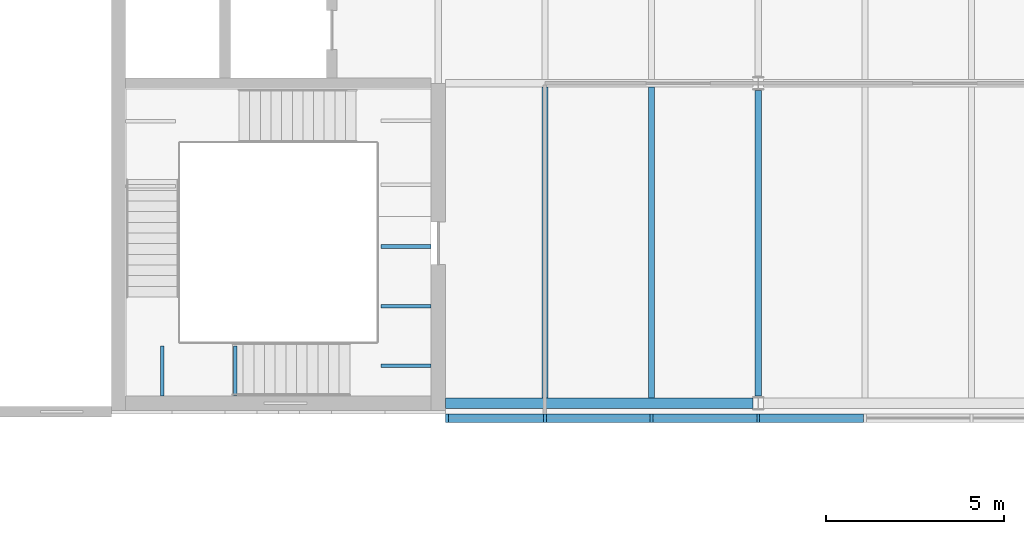
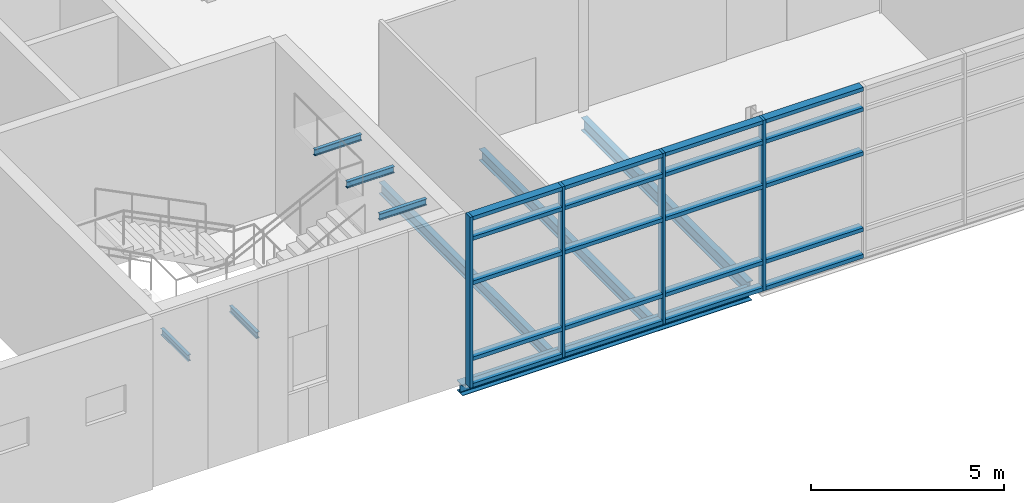
# One storey, part 20 of 53: 24 members, 9 beams, 1 element without a shape of its own.
"""IFC4 building model written with IfcOpenShell, lengths in metres."""

from ifc_helpers import new_model, si_unit, direction, frame, origin, origin_2d, place, context, subcontext, project, spatial, rectangle, i_section, extrude, material, material_profile, profile_set, type_object, element, aggregate, save


model = new_model("IFC4")

# Units and contexts
model_context = context("Model", 3, precision=1e-05, world=origin(), true_north=direction((0.0, 1.0)))
body_context = subcontext(model_context, "Body", "Model", "MODEL_VIEW")
ifc_project = project(units=[si_unit("LENGTHUNIT", "METRE"), si_unit("AREAUNIT", "SQUARE_METRE"), si_unit("VOLUMEUNIT", "CUBIC_METRE"), si_unit("PLANEANGLEUNIT", "RADIAN"), si_unit("MASSUNIT", "GRAM", prefix="KILO")], contexts=[model_context])

# Site, building, storey
site_placement = place(None, origin())
site = spatial("IfcSite", under=ifc_project, at=site_placement, CompositionType="ELEMENT")
building_placement = place(site_placement, origin())
building = spatial("IfcBuilding", under=site, at=building_placement, Name="Azimuth Sports and Learning Centre", CompositionType="ELEMENT")
storey_placement = place(building_placement, frame((0.0, 0.0, 10.800048828125)))
storey = spatial("IfcBuildingStorey", under=building, at=storey_placement, Name="L02", CompositionType="ELEMENT", Elevation=10.800048828125)

# Beams
ifc_material_1 = material(Name="Steel S355", Category="steel")
ifc_material_profile_1 = material_profile(ifc_material_1, i_section(OverallWidth=0.10009765625, OverallDepth=0.199951171875, WebThickness=0.005615234375, FlangeThickness=0.008544921875, FilletRadius=0.011962890625, at=origin_2d()), Name="IPE 200")
ifc_profile_set_1 = profile_set([ifc_material_profile_1], Name="Steel S355")
beam_type_1 = type_object("IfcBeamType", Name="Beam IPE 200", PredefinedType="BEAM", material=ifc_profile_set_1)
for number, where, z_axis, x_axis, name in (
    (1, (109.235107421875, 90.199951171875, 3.300048828125), (0.0, 1.0, 0.0), (-1.0, 0.0, 0.0), "Landing bracket E1 L02 377"),
    (2, (111.284912109375, 90.199951171875, 3.300048828125), (0.0, 1.0, 0.0), (-1.0, 0.0, 0.0), "Landing bracket E1 L02 378"),
    (3, (116.800048828125, 91.050048828125, 5.099853515625), (-1.0, 0.0, 0.0), (0.0, -1.0, 0.0), "Landing bracket E1 L02 379"),
    (4, (116.800048828125, 92.72998046875, 5.099853515625), (-1.0, 0.0, 0.0), (0.0, -1.0, 0.0), "Landing bracket E1 L02 380"),
    (5, (116.800048828125, 94.409912109375, 5.099853515625), (-1.0, 0.0, 0.0), (0.0, -1.0, 0.0), "Landing bracket E1 L02 381"),
):
    element("IfcBeam", number, at=place(storey_placement, frame(where, z_axis=z_axis, x_axis=x_axis)), inside=storey, type_object=beam_type_1, Name=name, PredefinedType="BEAM", context=body_context, shape_type="SweptSolid", body=[
        extrude(i_section(OverallWidth=0.10009765625, OverallDepth=0.199951171875, WebThickness=0.005615234375, FlangeThickness=0.008544921875, FilletRadius=0.011962890625, at=origin_2d()), origin(), (0.0, 0.0, 1.0), 1.41015625),
    ])
ifc_material_2 = material(Name="Steel S355", Category="steel")
ifc_material_profile_2 = material_profile(ifc_material_2, i_section(OverallWidth=0.179931640625, OverallDepth=0.39990234375, WebThickness=0.008544921875, FlangeThickness=0.013427734375, FilletRadius=0.02099609375, at=origin_2d()), Name="IPE 400")
ifc_profile_set_2 = profile_set([ifc_material_profile_2], Name="Steel S355")
beam_type_2 = type_object("IfcBeamType", Name="Beam IPE 400", PredefinedType="BEAM", material=ifc_profile_set_2)
beam_1_placement = place(storey_placement, frame((126.0, 90.199951171875, -0.35009765625), z_axis=(0.0, 1.0, 0.0), x_axis=(-1.0, 0.0, 0.0)))
element("IfcBeam", 6, at=beam_1_placement, inside=storey, type_object=beam_type_2, Name="Beam L02 WE 18", PredefinedType="BEAM", context=body_context, shape_type="SweptSolid", body=[
    extrude(i_section(OverallWidth=0.179931640625, OverallDepth=0.39990234375, WebThickness=0.008544921875, FlangeThickness=0.013427734375, FilletRadius=0.02099609375, at=origin_2d()), origin(), (0.0, 0.0, 1.0), 8.60009765625),
])
ifc_material_3 = material(Name="Steel S355", Category="steel")
ifc_material_profile_3 = material_profile(ifc_material_3, i_section(OverallWidth=0.300048828125, OverallDepth=0.330078125, WebThickness=0.009521484375, FlangeThickness=0.0166015625, FilletRadius=0.027099609375, at=origin_2d()), Name="HEA 340")
ifc_profile_set_3 = profile_set([ifc_material_profile_3], Name="Steel S355")
beam_type_3 = type_object("IfcBeamType", Name="Edge beam HEA 340", PredefinedType="SPANDREL", material=ifc_profile_set_3)
beam_2_placement = place(storey_placement, frame((117.199951171875, 90.0, -0.31494140625), z_axis=(1.0, 0.0, 0.0), x_axis=(0.0, 1.0, 0.0)))
element("IfcBeam", 7, at=beam_2_placement, inside=storey, type_object=beam_type_3, Name="Edge beam L02 WE 1", PredefinedType="SPANDREL", context=body_context, shape_type="SweptSolid", body=[
    extrude(i_section(OverallWidth=0.300048828125, OverallDepth=0.330078125, WebThickness=0.009521484375, FlangeThickness=0.0166015625, FilletRadius=0.027099609375, at=origin_2d()), origin(), (0.0, 0.0, 1.0), 8.650146484375),
])
ifc_material_4 = material(Name="Steel S355", Category="steel")
ifc_material_profile_4 = material_profile(ifc_material_4, i_section(OverallWidth=0.169921875, OverallDepth=0.360107421875, WebThickness=0.008056640625, FlangeThickness=0.0126953125, FilletRadius=0.01806640625, at=origin_2d()), Name="IPE 360")
ifc_profile_set_4 = profile_set([ifc_material_profile_4], Name="Steel S355")
beam_type_4 = type_object("IfcBeamType", Name="Joist IPE 360", PredefinedType="JOIST", material=ifc_profile_set_4)
for number, where, z_axis, x_axis, name in (
    (8, (120.0, 90.14990234375, -0.330078125), (0.0, 1.0, 0.0), (-1.0, 0.0, 0.0), "Joist L02 WE 27"),
    (9, (123.0, 90.14990234375, -0.330078125), (0.0, 1.0, 0.0), (-1.0, 0.0, 0.0), "Joist L02 WE 30"),
):
    element("IfcBeam", number, at=place(storey_placement, frame(where, z_axis=z_axis, x_axis=x_axis)), inside=storey, type_object=beam_type_4, Name=name, PredefinedType="JOIST", context=body_context, shape_type="SweptSolid", body=[
        extrude(i_section(OverallWidth=0.169921875, OverallDepth=0.360107421875, WebThickness=0.008056640625, FlangeThickness=0.0126953125, FilletRadius=0.01806640625, at=origin_2d()), origin(), (0.0, 0.0, 1.0), 8.7451171875),
    ])

# Curtain wall, members
ifc_material_5 = material(Name="Aluminium and glass", Category="aluminium")
curtain_wall_type = type_object("IfcCurtainWallType", Name="Curtain wall podium wing 240", PredefinedType="NOTDEFINED", material=ifc_material_5)
curtain_wall_placement = place(storey_placement, origin())
curtain_wall = element("IfcCurtainWall", 10, at=curtain_wall_placement, inside=storey, type_object=curtain_wall_type, Name="Curtain wall CW02-009", PredefinedType="NOTDEFINED")
ifc_material_6 = material(Name="Aluminium", Category="aluminium")
ifc_material_profile_5 = material_profile(ifc_material_6, rectangle(XDim=0.239990234375, YDim=0.080078125, at=origin_2d()), Name="Mullion 80x240")
ifc_profile_set_5 = profile_set([ifc_material_profile_5], Name="Aluminium")
member_type_1 = type_object("IfcMemberType", Name="Mullion 80x240", PredefinedType="MULLION", material=ifc_profile_set_5)
member_1_placement = place(storey_placement, frame((117.239990234375, 89.580078125, 0.0), z_axis=(0.0, 0.0, 1.0), x_axis=(0.0, 1.0, 0.0)))
member_1 = element("IfcMember", 11, at=member_1_placement, type_object=member_type_1, Name="CW02-009 mullion 1", PredefinedType="MULLION", context=body_context, shape_type="SweptSolid", body=[
    extrude(rectangle(XDim=0.239990234375, YDim=0.080078125, at=origin_2d()), origin(), (0.0, 0.0, 1.0), 5.39990234375),
])
member_2_placement = place(storey_placement, frame((120.0, 89.580078125, 0.0), z_axis=(0.0, 0.0, 1.0), x_axis=(0.0, 1.0, 0.0)))
member_2 = element("IfcMember", 12, at=member_2_placement, type_object=member_type_1, Name="CW02-009 mullion 2", PredefinedType="MULLION", context=body_context, shape_type="SweptSolid", body=[
    extrude(rectangle(XDim=0.239990234375, YDim=0.080078125, at=origin_2d()), origin(), (0.0, 0.0, 1.0), 5.39990234375),
])
member_3_placement = place(storey_placement, frame((123.0, 89.580078125, 0.0), z_axis=(0.0, 0.0, 1.0), x_axis=(0.0, 1.0, 0.0)))
member_3 = element("IfcMember", 13, at=member_3_placement, type_object=member_type_1, Name="CW02-009 mullion 3", PredefinedType="MULLION", context=body_context, shape_type="SweptSolid", body=[
    extrude(rectangle(XDim=0.239990234375, YDim=0.080078125, at=origin_2d()), origin(), (0.0, 0.0, 1.0), 5.39990234375),
])
member_4_placement = place(storey_placement, frame((126.0, 89.580078125, 0.0), z_axis=(0.0, 0.0, 1.0), x_axis=(0.0, 1.0, 0.0)))
member_4 = element("IfcMember", 14, at=member_4_placement, type_object=member_type_1, Name="CW02-009 mullion 4", PredefinedType="MULLION", context=body_context, shape_type="SweptSolid", body=[
    extrude(rectangle(XDim=0.239990234375, YDim=0.080078125, at=origin_2d()), origin(), (0.0, 0.0, 1.0), 5.39990234375),
])
ifc_material_7 = material(Name="Aluminium", Category="aluminium")
ifc_material_profile_6 = material_profile(ifc_material_7, rectangle(XDim=0.239990234375, YDim=0.1201171875, at=origin_2d()), Name="Transom 120x240")
ifc_profile_set_6 = profile_set([ifc_material_profile_6], Name="Aluminium")
member_type_2 = type_object("IfcMemberType", Name="Transom 120x240", PredefinedType="USERDEFINED", material=ifc_profile_set_6)
member_5_placement = place(storey_placement, frame((117.280029296875, 89.580078125, 0.06005859375), z_axis=(1.0, 0.0, 0.0), x_axis=(0.0, 1.0, 0.0)))
member_5 = element("IfcMember", 15, at=member_5_placement, type_object=member_type_2, Name="CW02-009 transom 1.1", ObjectType="TRANSOM", PredefinedType="USERDEFINED", context=body_context, shape_type="SweptSolid", body=[
    extrude(rectangle(XDim=0.239990234375, YDim=0.1201171875, at=origin_2d()), origin(), (0.0, 0.0, 1.0), 2.679931640625),
])
member_6_placement = place(storey_placement, frame((117.280029296875, 89.580078125, 0.89990234375), z_axis=(1.0, 0.0, 0.0), x_axis=(0.0, 1.0, 0.0)))
member_6 = element("IfcMember", 16, at=member_6_placement, type_object=member_type_2, Name="CW02-009 transom 1.2", ObjectType="TRANSOM", PredefinedType="USERDEFINED", context=body_context, shape_type="SweptSolid", body=[
    extrude(rectangle(XDim=0.239990234375, YDim=0.1201171875, at=origin_2d()), origin(), (0.0, 0.0, 1.0), 2.679931640625),
])
member_7_placement = place(storey_placement, frame((117.280029296875, 89.580078125, 3.300048828125), z_axis=(1.0, 0.0, 0.0), x_axis=(0.0, 1.0, 0.0)))
member_7 = element("IfcMember", 17, at=member_7_placement, type_object=member_type_2, Name="CW02-009 transom 1.3", ObjectType="TRANSOM", PredefinedType="USERDEFINED", context=body_context, shape_type="SweptSolid", body=[
    extrude(rectangle(XDim=0.239990234375, YDim=0.1201171875, at=origin_2d()), origin(), (0.0, 0.0, 1.0), 2.679931640625),
])
member_8_placement = place(storey_placement, frame((117.280029296875, 89.580078125, 4.699951171875), z_axis=(1.0, 0.0, 0.0), x_axis=(0.0, 1.0, 0.0)))
member_8 = element("IfcMember", 18, at=member_8_placement, type_object=member_type_2, Name="CW02-009 transom 1.4", ObjectType="TRANSOM", PredefinedType="USERDEFINED", context=body_context, shape_type="SweptSolid", body=[
    extrude(rectangle(XDim=0.239990234375, YDim=0.1201171875, at=origin_2d()), origin(), (0.0, 0.0, 1.0), 2.679931640625),
])
member_9_placement = place(storey_placement, frame((117.280029296875, 89.580078125, 5.33984375), z_axis=(1.0, 0.0, 0.0), x_axis=(0.0, 1.0, 0.0)))
member_9 = element("IfcMember", 19, at=member_9_placement, type_object=member_type_2, Name="CW02-009 transom 1.5", ObjectType="TRANSOM", PredefinedType="USERDEFINED", context=body_context, shape_type="SweptSolid", body=[
    extrude(rectangle(XDim=0.239990234375, YDim=0.1201171875, at=origin_2d()), origin(), (0.0, 0.0, 1.0), 2.679931640625),
])
member_10_placement = place(storey_placement, frame((120.0400390625, 89.580078125, 0.06005859375), z_axis=(1.0, 0.0, 0.0), x_axis=(0.0, 1.0, 0.0)))
member_10 = element("IfcMember", 20, at=member_10_placement, type_object=member_type_2, Name="CW02-009 transom 2.1", ObjectType="TRANSOM", PredefinedType="USERDEFINED", context=body_context, shape_type="SweptSolid", body=[
    extrude(rectangle(XDim=0.239990234375, YDim=0.1201171875, at=origin_2d()), origin(), (0.0, 0.0, 1.0), 2.919921875),
])
member_11_placement = place(storey_placement, frame((120.0400390625, 89.580078125, 0.89990234375), z_axis=(1.0, 0.0, 0.0), x_axis=(0.0, 1.0, 0.0)))
member_11 = element("IfcMember", 21, at=member_11_placement, type_object=member_type_2, Name="CW02-009 transom 2.2", ObjectType="TRANSOM", PredefinedType="USERDEFINED", context=body_context, shape_type="SweptSolid", body=[
    extrude(rectangle(XDim=0.239990234375, YDim=0.1201171875, at=origin_2d()), origin(), (0.0, 0.0, 1.0), 2.919921875),
])
member_12_placement = place(storey_placement, frame((120.0400390625, 89.580078125, 3.300048828125), z_axis=(1.0, 0.0, 0.0), x_axis=(0.0, 1.0, 0.0)))
member_12 = element("IfcMember", 22, at=member_12_placement, type_object=member_type_2, Name="CW02-009 transom 2.3", ObjectType="TRANSOM", PredefinedType="USERDEFINED", context=body_context, shape_type="SweptSolid", body=[
    extrude(rectangle(XDim=0.239990234375, YDim=0.1201171875, at=origin_2d()), origin(), (0.0, 0.0, 1.0), 2.919921875),
])
member_13_placement = place(storey_placement, frame((120.0400390625, 89.580078125, 4.699951171875), z_axis=(1.0, 0.0, 0.0), x_axis=(0.0, 1.0, 0.0)))
member_13 = element("IfcMember", 23, at=member_13_placement, type_object=member_type_2, Name="CW02-009 transom 2.4", ObjectType="TRANSOM", PredefinedType="USERDEFINED", context=body_context, shape_type="SweptSolid", body=[
    extrude(rectangle(XDim=0.239990234375, YDim=0.1201171875, at=origin_2d()), origin(), (0.0, 0.0, 1.0), 2.919921875),
])
member_14_placement = place(storey_placement, frame((120.0400390625, 89.580078125, 5.33984375), z_axis=(1.0, 0.0, 0.0), x_axis=(0.0, 1.0, 0.0)))
member_14 = element("IfcMember", 24, at=member_14_placement, type_object=member_type_2, Name="CW02-009 transom 2.5", ObjectType="TRANSOM", PredefinedType="USERDEFINED", context=body_context, shape_type="SweptSolid", body=[
    extrude(rectangle(XDim=0.239990234375, YDim=0.1201171875, at=origin_2d()), origin(), (0.0, 0.0, 1.0), 2.919921875),
])
member_15_placement = place(storey_placement, frame((123.0400390625, 89.580078125, 0.06005859375), z_axis=(1.0, 0.0, 0.0), x_axis=(0.0, 1.0, 0.0)))
member_15 = element("IfcMember", 25, at=member_15_placement, type_object=member_type_2, Name="CW02-009 transom 3.1", ObjectType="TRANSOM", PredefinedType="USERDEFINED", context=body_context, shape_type="SweptSolid", body=[
    extrude(rectangle(XDim=0.239990234375, YDim=0.1201171875, at=origin_2d()), origin(), (0.0, 0.0, 1.0), 2.919921875),
])
member_16_placement = place(storey_placement, frame((123.0400390625, 89.580078125, 0.89990234375), z_axis=(1.0, 0.0, 0.0), x_axis=(0.0, 1.0, 0.0)))
member_16 = element("IfcMember", 26, at=member_16_placement, type_object=member_type_2, Name="CW02-009 transom 3.2", ObjectType="TRANSOM", PredefinedType="USERDEFINED", context=body_context, shape_type="SweptSolid", body=[
    extrude(rectangle(XDim=0.239990234375, YDim=0.1201171875, at=origin_2d()), origin(), (0.0, 0.0, 1.0), 2.919921875),
])
member_17_placement = place(storey_placement, frame((123.0400390625, 89.580078125, 3.300048828125), z_axis=(1.0, 0.0, 0.0), x_axis=(0.0, 1.0, 0.0)))
member_17 = element("IfcMember", 27, at=member_17_placement, type_object=member_type_2, Name="CW02-009 transom 3.3", ObjectType="TRANSOM", PredefinedType="USERDEFINED", context=body_context, shape_type="SweptSolid", body=[
    extrude(rectangle(XDim=0.239990234375, YDim=0.1201171875, at=origin_2d()), origin(), (0.0, 0.0, 1.0), 2.919921875),
])
member_18_placement = place(storey_placement, frame((123.0400390625, 89.580078125, 4.699951171875), z_axis=(1.0, 0.0, 0.0), x_axis=(0.0, 1.0, 0.0)))
member_18 = element("IfcMember", 28, at=member_18_placement, type_object=member_type_2, Name="CW02-009 transom 3.4", ObjectType="TRANSOM", PredefinedType="USERDEFINED", context=body_context, shape_type="SweptSolid", body=[
    extrude(rectangle(XDim=0.239990234375, YDim=0.1201171875, at=origin_2d()), origin(), (0.0, 0.0, 1.0), 2.919921875),
])
member_19_placement = place(storey_placement, frame((123.0400390625, 89.580078125, 5.33984375), z_axis=(1.0, 0.0, 0.0), x_axis=(0.0, 1.0, 0.0)))
member_19 = element("IfcMember", 29, at=member_19_placement, type_object=member_type_2, Name="CW02-009 transom 3.5", ObjectType="TRANSOM", PredefinedType="USERDEFINED", context=body_context, shape_type="SweptSolid", body=[
    extrude(rectangle(XDim=0.239990234375, YDim=0.1201171875, at=origin_2d()), origin(), (0.0, 0.0, 1.0), 2.919921875),
])
member_20_placement = place(storey_placement, frame((126.0400390625, 89.580078125, 0.06005859375), z_axis=(1.0, 0.0, 0.0), x_axis=(0.0, 1.0, 0.0)))
member_20 = element("IfcMember", 30, at=member_20_placement, type_object=member_type_2, Name="CW02-009 transom 4.1", ObjectType="TRANSOM", PredefinedType="USERDEFINED", context=body_context, shape_type="SweptSolid", body=[
    extrude(rectangle(XDim=0.239990234375, YDim=0.1201171875, at=origin_2d()), origin(), (0.0, 0.0, 1.0), 2.919921875),
])
member_21_placement = place(storey_placement, frame((126.0400390625, 89.580078125, 0.89990234375), z_axis=(1.0, 0.0, 0.0), x_axis=(0.0, 1.0, 0.0)))
member_21 = element("IfcMember", 31, at=member_21_placement, type_object=member_type_2, Name="CW02-009 transom 4.2", ObjectType="TRANSOM", PredefinedType="USERDEFINED", context=body_context, shape_type="SweptSolid", body=[
    extrude(rectangle(XDim=0.239990234375, YDim=0.1201171875, at=origin_2d()), origin(), (0.0, 0.0, 1.0), 2.919921875),
])
member_22_placement = place(storey_placement, frame((126.0400390625, 89.580078125, 3.300048828125), z_axis=(1.0, 0.0, 0.0), x_axis=(0.0, 1.0, 0.0)))
member_22 = element("IfcMember", 32, at=member_22_placement, type_object=member_type_2, Name="CW02-009 transom 4.3", ObjectType="TRANSOM", PredefinedType="USERDEFINED", context=body_context, shape_type="SweptSolid", body=[
    extrude(rectangle(XDim=0.239990234375, YDim=0.1201171875, at=origin_2d()), origin(), (0.0, 0.0, 1.0), 2.919921875),
])
member_23_placement = place(storey_placement, frame((126.0400390625, 89.580078125, 4.699951171875), z_axis=(1.0, 0.0, 0.0), x_axis=(0.0, 1.0, 0.0)))
member_23 = element("IfcMember", 33, at=member_23_placement, type_object=member_type_2, Name="CW02-009 transom 4.4", ObjectType="TRANSOM", PredefinedType="USERDEFINED", context=body_context, shape_type="SweptSolid", body=[
    extrude(rectangle(XDim=0.239990234375, YDim=0.1201171875, at=origin_2d()), origin(), (0.0, 0.0, 1.0), 2.919921875),
])
member_24_placement = place(storey_placement, frame((126.0400390625, 89.580078125, 5.33984375), z_axis=(1.0, 0.0, 0.0), x_axis=(0.0, 1.0, 0.0)))
member_24 = element("IfcMember", 34, at=member_24_placement, type_object=member_type_2, Name="CW02-009 transom 4.5", ObjectType="TRANSOM", PredefinedType="USERDEFINED", context=body_context, shape_type="SweptSolid", body=[
    extrude(rectangle(XDim=0.239990234375, YDim=0.1201171875, at=origin_2d()), origin(), (0.0, 0.0, 1.0), 2.919921875),
])
aggregate(curtain_wall, [member_1, member_2, member_3, member_4, member_5, member_6, member_7, member_8, member_9, member_10, member_11, member_12, member_13, member_14, member_15, member_16, member_17, member_18, member_19, member_20, member_21, member_22, member_23, member_24])

save(model, "model.ifc")
